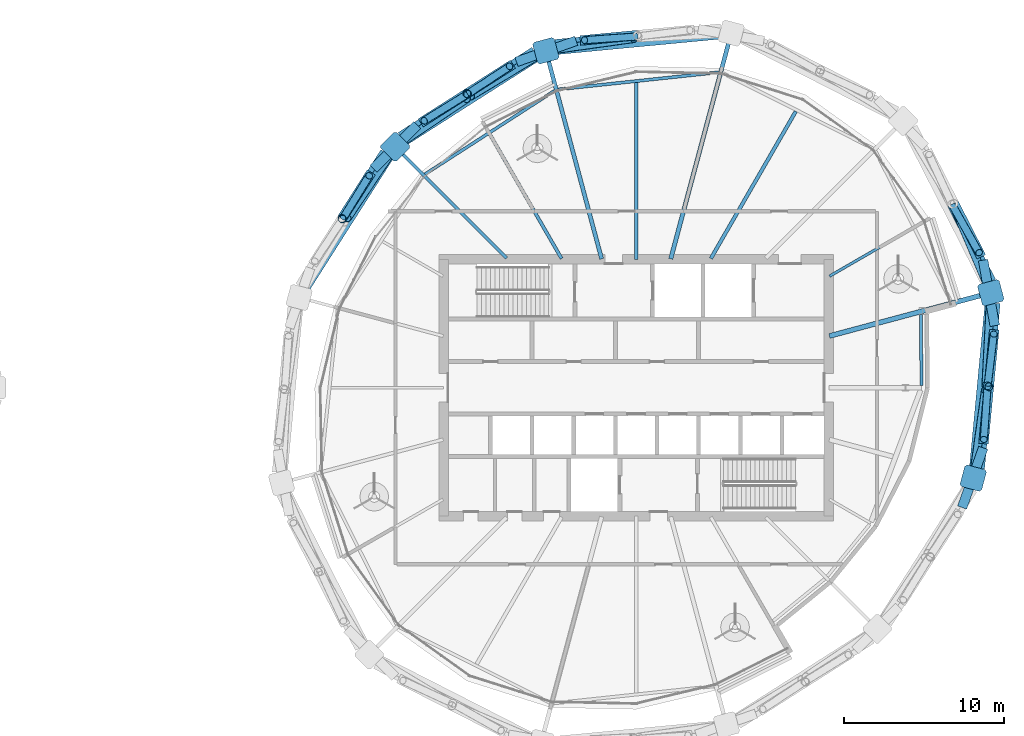
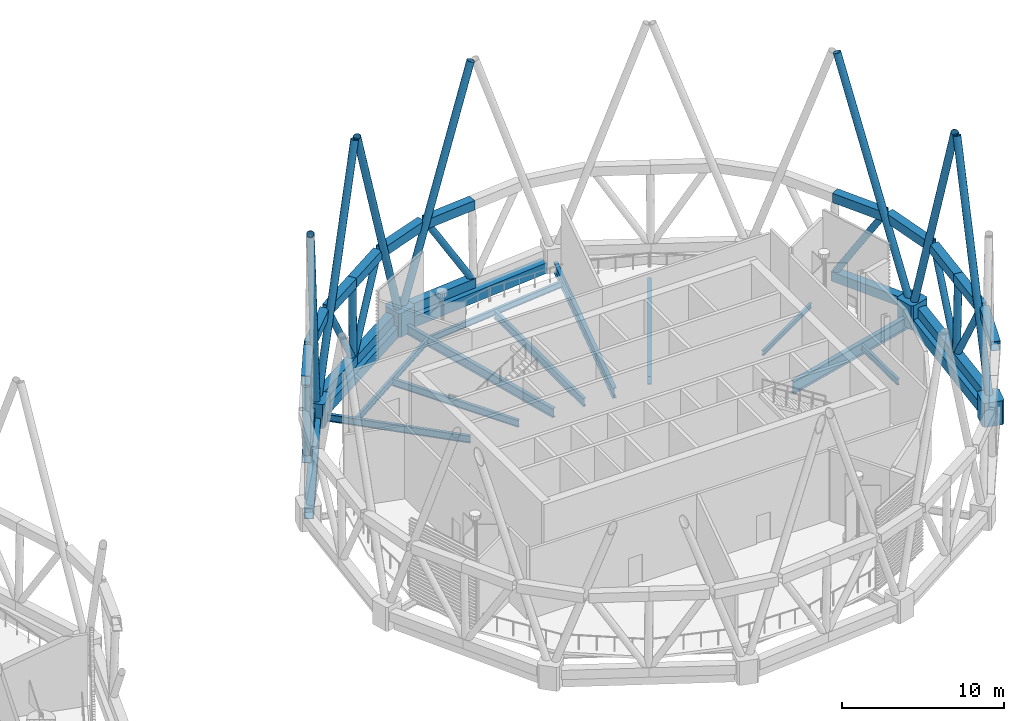
# One storey, part 8 of 22: 39 members, 15 beams.
"""IFC4 building model written with IfcOpenShell, lengths in metres."""

from ifc_helpers import new_model, si_unit, direction, frame, origin, origin_2d, place, context, subcontext, project, spatial, polyline, hollow_rectangle, hollow_circle, i_section, outline, extrude, material, material_profile, profile_set, type_object, element, save


model = new_model("IFC4")

# Units and contexts
model_context = context("Model", 3, precision=1e-05, world=origin(), true_north=direction((0.0, 1.0)))
body_context = subcontext(model_context, "Body", "Model", "MODEL_VIEW")
ifc_project = project(units=[si_unit("LENGTHUNIT", "METRE"), si_unit("AREAUNIT", "SQUARE_METRE"), si_unit("VOLUMEUNIT", "CUBIC_METRE"), si_unit("PLANEANGLEUNIT", "RADIAN"), si_unit("MASSUNIT", "GRAM", prefix="KILO")], contexts=[model_context])

# Site, building, storey
site_placement = place(None, origin())
site = spatial("IfcSite", under=ifc_project, at=site_placement, CompositionType="ELEMENT")
building_placement = place(site_placement, origin())
building = spatial("IfcBuilding", under=site, at=building_placement, Name="Rimbun Link Towers", CompositionType="ELEMENT")
storey_placement = place(building_placement, frame((0.0, 0.0, 204.5)))
storey = spatial("IfcBuildingStorey", under=building, at=storey_placement, Name="L50", CompositionType="ELEMENT", Elevation=204.5)

# Members
ifc_material_1 = material(Name="Steel S460N", Category="steel")
ifc_material_profile_1 = material_profile(ifc_material_1, hollow_rectangle(XDim=0.60009765625, YDim=0.699951171875, WallThickness=0.034912109375, at=origin_2d()), Name="Belt truss chord BOX 600x700x35")
ifc_profile_set_1 = profile_set([ifc_material_profile_1], Name="Steel S460N")
member_type_1 = type_object("IfcMemberType", Name="Belt truss chord BOX 600x700x35", PredefinedType="CHORD", material=ifc_profile_set_1)
member_1_placement = place(storey_placement, frame((28.0107421875, 21.625732421875, 6.0), z_axis=(-0.942930944728, -0.332988338346, 0.0), x_axis=(0.332988338346, -0.942930944728, 0.0)))
element("IfcMember", 1, at=member_1_placement, inside=storey, type_object=member_type_1, Name="Belt truss chord T2 L50 top 02", PredefinedType="CHORD", context=body_context, shape_type="SweptSolid", body=[
    extrude(hollow_rectangle(XDim=0.60009765625, YDim=0.699951171875, WallThickness=0.034912109375, at=origin_2d()), origin(), (0.0, 0.0, 1.0), 3.947509765625),
])
member_2_placement = place(storey_placement, frame((18.099365234375, 16.37060546875, 6.0), z_axis=(-0.707106781187, -0.707106781187, 0.0), x_axis=(0.707106781187, -0.707106781187, 0.0)))
element("IfcMember", 2, at=member_2_placement, inside=storey, type_object=member_type_1, Name="Belt truss chord T2 L50 top 03", PredefinedType="CHORD", context=body_context, shape_type="SweptSolid", body=[
    extrude(hollow_rectangle(XDim=0.60009765625, YDim=0.699951171875, WallThickness=0.034912109375, at=origin_2d()), origin(), (0.0, 0.0, 1.0), 3.8466796875),
])
member_3_placement = place(storey_placement, frame((52.061279296875, -7.46142578125, 6.0), z_axis=(0.332988338346, 0.942930944728, 0.0), x_axis=(-0.942930944728, 0.332988338346, 0.0)))
element("IfcMember", 3, at=member_3_placement, inside=storey, type_object=member_type_1, Name="Belt truss chord T2 L50 top 10", PredefinedType="CHORD", context=body_context, shape_type="SweptSolid", body=[
    extrude(hollow_rectangle(XDim=0.60009765625, YDim=0.699951171875, WallThickness=0.034912109375, at=origin_2d()), origin(), (0.0, 0.0, 1.0), 3.947509765625),
])
member_4_placement = place(storey_placement, frame((54.097412109375, 3.868408203125, 6.0), z_axis=(-0.174925672381, 0.984581641685, 0.0), x_axis=(-0.984581641685, -0.174925672381, 0.0)))
element("IfcMember", 4, at=member_4_placement, inside=storey, type_object=member_type_1, Name="Belt truss chord T2 L50 top 11", PredefinedType="CHORD", context=body_context, shape_type="SweptSolid", body=[
    extrude(hollow_rectangle(XDim=0.60009765625, YDim=0.699951171875, WallThickness=0.034912109375, at=origin_2d()), origin(), (0.0, 0.0, 1.0), 4.152099609375),
])
member_5_placement = place(storey_placement, frame((31.863525390625, 21.89794921875, 0.18994140625), z_axis=(-0.99554305431, -0.094308149254, 0.0), x_axis=(0.094308149254, -0.99554305431, 0.0)))
element("IfcMember", 5, at=member_5_placement, inside=storey, type_object=member_type_1, Name="Belt truss chord T2 L50 bottom 03", PredefinedType="CHORD", context=body_context, shape_type="SweptSolid", body=[
    extrude(hollow_rectangle(XDim=0.60009765625, YDim=0.699951171875, WallThickness=0.034912109375, at=origin_2d()), origin(), (0.0, 0.0, 1.0), 5.1748046875),
])
member_6_placement = place(storey_placement, frame((31.81298828125, 21.97998046875, 6.0), z_axis=(-0.995539400305, -0.094346713986, 0.0), x_axis=(0.094346713986, -0.995539400305, 0.0)))
element("IfcMember", 6, at=member_6_placement, inside=storey, type_object=member_type_1, Name="Belt truss chord T2 L50 top 15", PredefinedType="CHORD", context=body_context, shape_type="SweptSolid", body=[
    extrude(hollow_rectangle(XDim=0.60009765625, YDim=0.699951171875, WallThickness=0.034912109375, at=origin_2d()), origin(), (0.0, 0.0, 1.0), 3.563232421875),
])
for number, where, z_axis, x_axis, name in (
    (7, (25.4072265625, 20.9619140625, 0.18994140625), (-0.843500783691, -0.537127943708, 0.0), (0.537127943708, -0.843500783691, 0.0), "Belt truss chord T2 L50 bottom 04"),
    (8, (21.23779296875, 18.306884765625, 0.18994140625), (-0.843500783691, -0.537127943708, 0.0), (0.537127943708, -0.843500783691, 0.0), "Belt truss chord T2 L50 bottom 05"),
):
    element("IfcMember", number, at=place(storey_placement, frame(where, z_axis=z_axis, x_axis=x_axis)), inside=storey, type_object=member_type_1, Name=name, PredefinedType="CHORD", context=body_context, shape_type="SweptSolid", body=[
        extrude(hollow_rectangle(XDim=0.60009765625, YDim=0.699951171875, WallThickness=0.034912109375, at=origin_2d()), origin(), (0.0, 0.0, 1.0), 4.943115234375),
    ])
member_7_placement = place(storey_placement, frame((24.068115234375, 20.166015625, 6.0), z_axis=(-0.843510942812, -0.537111989586, 0.0), x_axis=(0.537111989586, -0.843510942812, 0.0)))
element("IfcMember", 9, at=member_7_placement, inside=storey, type_object=member_type_1, Name="Belt truss chord T2 L50 top 16", PredefinedType="CHORD", context=body_context, shape_type="SweptSolid", body=[
    extrude(hollow_rectangle(XDim=0.60009765625, YDim=0.699951171875, WallThickness=0.034912109375, at=origin_2d()), origin(), (0.0, 0.0, 1.0), 3.40625),
])
member_8_placement = place(storey_placement, frame((21.19482421875, 18.33642578125, 6.0), z_axis=(-0.84351663753, -0.537103046174, 0.0), x_axis=(0.537103046174, -0.84351663753, 0.0)))
element("IfcMember", 10, at=member_8_placement, inside=storey, type_object=member_type_1, Name="Belt truss chord T2 L50 top 17", PredefinedType="CHORD", context=body_context, shape_type="SweptSolid", body=[
    extrude(hollow_rectangle(XDim=0.60009765625, YDim=0.699951171875, WallThickness=0.034912109375, at=origin_2d()), origin(), (0.0, 0.0, 1.0), 3.4013671875),
])
member_9_placement = place(storey_placement, frame((16.09814453125, 14.681640625, 0.18994140625), z_axis=(-0.537127943708, -0.843500783691, 0.0), x_axis=(0.843500783691, -0.537127943708, 0.0)))
element("IfcMember", 11, at=member_9_placement, inside=storey, type_object=member_type_1, Name="Belt truss chord T2 L50 bottom 06", PredefinedType="CHORD", context=body_context, shape_type="SweptSolid", body=[
    extrude(hollow_rectangle(XDim=0.60009765625, YDim=0.699951171875, WallThickness=0.034912109375, at=origin_2d()), origin(), (0.0, 0.0, 1.0), 4.943115234375),
])
member_10_placement = place(storey_placement, frame((15.240478515625, 13.42431640625, 6.0), z_axis=(-0.537103046174, -0.84351663753, 0.0), x_axis=(0.84351663753, -0.537103046174, 0.0)))
element("IfcMember", 12, at=member_10_placement, inside=storey, type_object=member_type_1, Name="Belt truss chord T2 L50 top 18", PredefinedType="CHORD", context=body_context, shape_type="SweptSolid", body=[
    extrude(hollow_rectangle(XDim=0.60009765625, YDim=0.699951171875, WallThickness=0.034912109375, at=origin_2d()), origin(), (0.0, 0.0, 1.0), 3.4013671875),
])
member_11_placement = place(storey_placement, frame((53.159912109375, -5.038330078125, 0.18994140625), z_axis=(0.094308149254, 0.99554305431, 0.0), x_axis=(-0.99554305431, 0.094308149254, 0.0)))
element("IfcMember", 13, at=member_11_placement, inside=storey, type_object=member_type_1, Name="Belt truss chord T2 L50 bottom 20", PredefinedType="CHORD", context=body_context, shape_type="SweptSolid", body=[
    extrude(hollow_rectangle(XDim=0.60009765625, YDim=0.699951171875, WallThickness=0.034912109375, at=origin_2d()), origin(), (0.0, 0.0, 1.0), 5.1748046875),
])
member_12_placement = place(storey_placement, frame((53.64794921875, 0.113525390625, 0.18994140625), z_axis=(0.094303720053, 0.99554347388, 0.0), x_axis=(-0.99554347388, 0.094303720053, 0.0)))
element("IfcMember", 14, at=member_12_placement, inside=storey, type_object=member_type_1, Name="Belt truss chord T2 L50 bottom 21", PredefinedType="CHORD", context=body_context, shape_type="SweptSolid", body=[
    extrude(hollow_rectangle(XDim=0.60009765625, YDim=0.699951171875, WallThickness=0.034912109375, at=origin_2d()), origin(), (0.0, 0.0, 1.0), 5.175048828125),
])
member_13_placement = place(storey_placement, frame((53.393798828125, -3.484375, 6.0), z_axis=(0.094346713986, 0.995539400305, 0.0), x_axis=(-0.995539400305, 0.094346713986, 0.0)))
element("IfcMember", 15, at=member_13_placement, inside=storey, type_object=member_type_1, Name="Belt truss chord T2 L50 top 32", PredefinedType="CHORD", context=body_context, shape_type="SweptSolid", body=[
    extrude(hollow_rectangle(XDim=0.60009765625, YDim=0.699951171875, WallThickness=0.034912109375, at=origin_2d()), origin(), (0.0, 0.0, 1.0), 3.563232421875),
])
member_14_placement = place(storey_placement, frame((53.72998046875, 0.06298828125, 6.0), z_axis=(0.094286748494, 0.995545081379, 0.0), x_axis=(-0.995545081379, 0.094286748494, 0.0)))
element("IfcMember", 16, at=member_14_placement, inside=storey, type_object=member_type_1, Name="Belt truss chord T2 L50 top 33", PredefinedType="CHORD", context=body_context, shape_type="SweptSolid", body=[
    extrude(hollow_rectangle(XDim=0.60009765625, YDim=0.699951171875, WallThickness=0.034912109375, at=origin_2d()), origin(), (0.0, 0.0, 1.0), 3.5732421875),
])
member_15_placement = place(storey_placement, frame((53.87451171875, 6.63671875, 0.18994140625), z_axis=(-0.454431449541, 0.89078171157, 0.0), x_axis=(-0.89078171157, -0.454431449541, 0.0)))
element("IfcMember", 17, at=member_15_placement, inside=storey, type_object=member_type_1, Name="Belt truss chord T2 L50 bottom 22", PredefinedType="CHORD", context=body_context, shape_type="SweptSolid", body=[
    extrude(hollow_rectangle(XDim=0.60009765625, YDim=0.699951171875, WallThickness=0.034912109375, at=origin_2d()), origin(), (0.0, 0.0, 1.0), 5.387451171875),
])
member_16_placement = place(storey_placement, frame((53.25439453125, 8.16552734375, 6.0), z_axis=(-0.454387499691, 0.890804131178, 0.0), x_axis=(-0.890804131178, -0.454387499691, 0.0)))
element("IfcMember", 18, at=member_16_placement, inside=storey, type_object=member_type_1, Name="Belt truss chord T2 L50 top 34", PredefinedType="CHORD", context=body_context, shape_type="SweptSolid", body=[
    extrude(hollow_rectangle(XDim=0.60009765625, YDim=0.699951171875, WallThickness=0.034912109375, at=origin_2d()), origin(), (0.0, 0.0, 1.0), 3.722412109375),
])
ifc_material_2 = material(Name="Steel S355J2H", Category="steel")
ifc_material_profile_2 = material_profile(ifc_material_2, hollow_circle(Radius=0.228515625, WallThickness=0.01611328125, at=origin_2d()), Name="Belt truss diagonal CHS 457x16")
ifc_profile_set_2 = profile_set([ifc_material_profile_2], Name="Steel S355J2H")
member_type_2 = type_object("IfcMemberType", Name="Belt truss diagonal CHS 457x16", PredefinedType="BRACE", material=ifc_profile_set_2)
member_17_placement = place(storey_placement, frame((31.6826171875, 21.88525390625, 0.4892578125), z_axis=(-0.517112660292, -0.03621551324, 0.855150824806), x_axis=(0.069862965951, -0.997556597887, 0.0)))
element("IfcMember", 19, at=member_17_placement, inside=storey, type_object=member_type_2, Name="Belt truss diagonal T2 L50 03", PredefinedType="BRACE", context=body_context, shape_type="SweptSolid", body=[
    extrude(hollow_circle(Radius=0.228515625, WallThickness=0.01611328125, at=origin_2d()), origin(), (0.0, 0.0, 1.0), 6.09423828125),
])
member_18_placement = place(storey_placement, frame((21.38232421875, 18.402099609375, 0.494140625), z_axis=(0.413307115516, 0.271676410317, 0.869119759493), x_axis=(-0.549283209495, 0.835636258049, 0.0)))
element("IfcMember", 20, at=member_18_placement, inside=storey, type_object=member_type_2, Name="Belt truss diagonal T2 L50 04", PredefinedType="BRACE", context=body_context, shape_type="SweptSolid", body=[
    extrude(hollow_circle(Radius=0.228515625, WallThickness=0.01611328125, at=origin_2d()), origin(), (0.0, 0.0, 1.0), 5.98486328125),
])
for number, where, z_axis, x_axis, name in (
    (21, (21.089111328125, 18.215087890625, 0.493408203125), (-0.424858360267, -0.262029869083, 0.866507773433), (0.524937876314, -0.851140544218, 0.0), "Belt truss diagonal T2 L50 05"),
    (22, (13.534912109375, 10.660888671875, 0.493408203125), (0.262029869083, 0.424858360267, 0.866507773433), (-0.851140544218, 0.524937876314, 0.0), "Belt truss diagonal T2 L50 06"),
):
    element("IfcMember", number, at=place(storey_placement, frame(where, z_axis=z_axis, x_axis=x_axis)), inside=storey, type_object=member_type_2, Name=name, PredefinedType="BRACE", context=body_context, shape_type="SweptSolid", body=[
        extrude(hollow_circle(Radius=0.228515625, WallThickness=0.01611328125, at=origin_2d()), origin(), (0.0, 0.0, 1.0), 6.0048828125),
    ])
member_19_placement = place(storey_placement, frame((53.63525390625, -0.0673828125, 0.4892578125), z_axis=(-0.03621551324, -0.517112660292, 0.855150824806), x_axis=(0.997556597887, -0.069862965951, 0.0)))
element("IfcMember", 23, at=member_19_placement, inside=storey, type_object=member_type_2, Name="Belt truss diagonal T2 L50 20", PredefinedType="BRACE", context=body_context, shape_type="SweptSolid", body=[
    extrude(hollow_circle(Radius=0.228515625, WallThickness=0.01611328125, at=origin_2d()), origin(), (0.0, 0.0, 1.0), 6.09423828125),
])
member_20_placement = place(storey_placement, frame((53.669189453125, 0.29052734375, 0.4912109375), z_axis=(0.06076916456, 0.505481623134, 0.860694741074), x_axis=(-0.992850937823, 0.119360861528, 0.0)))
element("IfcMember", 24, at=member_20_placement, inside=storey, type_object=member_type_2, Name="Belt truss diagonal T2 L50 21", PredefinedType="BRACE", context=body_context, shape_type="SweptSolid", body=[
    extrude(hollow_circle(Radius=0.228515625, WallThickness=0.01611328125, at=origin_2d()), origin(), (0.0, 0.0, 1.0), 6.05029296875),
])
member_21_placement = place(storey_placement, frame((51.51708984375, 11.2734375, 0.486572265625), z_axis=(0.259690189986, -0.463270803117, 0.847314090644), x_axis=(0.872298406148, 0.488973916106, 0.0)))
element("IfcMember", 25, at=member_21_placement, inside=storey, type_object=member_type_2, Name="Belt truss diagonal T2 L50 22", PredefinedType="BRACE", context=body_context, shape_type="SweptSolid", body=[
    extrude(hollow_circle(Radius=0.228515625, WallThickness=0.01611328125, at=origin_2d()), origin(), (0.0, 0.0, 1.0), 6.156982421875),
])
ifc_material_3 = material(Name="Steel S355J2H", Category="steel")
ifc_material_profile_3 = material_profile(ifc_material_3, hollow_circle(Radius=0.25390625, WallThickness=0.02001953125, at=origin_2d()), Name="Belt truss strut CHS 508x20")
ifc_profile_set_3 = profile_set([ifc_material_profile_3], Name="Steel S355J2H")
member_type_3 = type_object("IfcMemberType", Name="Belt truss strut CHS 508x20", PredefinedType="STRUT", material=ifc_profile_set_3)
for number, where, z_axis, x_axis, name in (
    (26, (21.23779296875, 18.306884765625, 0.5400390625), (-0.00840854453, 0.005780874364, 0.99994793758), (-0.566528822887, -0.824041924199, 0.0), "Belt truss strut T2 L50 02"),
    (27, (13.443115234375, 10.51220703125, 0.5400390625), (-0.005780874364, 0.00840854453, 0.99994793758), (-0.824041924199, -0.566528822887, 0.0), "Belt truss strut T2 L50 03"),
):
    element("IfcMember", number, at=place(storey_placement, frame(where, z_axis=z_axis, x_axis=x_axis)), inside=storey, type_object=member_type_3, Name=name, PredefinedType="STRUT", context=body_context, shape_type="SweptSolid", body=[
        extrude(hollow_circle(Radius=0.25390625, WallThickness=0.02001953125, at=origin_2d()), origin(), (0.0, 0.0, 1.0), 5.110107421875),
    ])
member_22_placement = place(storey_placement, frame((53.64794921875, 0.113525390625, 0.5400390625), z_axis=(0.016050658718, -0.009888352246, 0.999822282631), x_axis=(0.524521493248, 0.851397206432, 0.0)))
element("IfcMember", 28, at=member_22_placement, inside=storey, type_object=member_type_3, Name="Belt truss strut T2 L50 10", PredefinedType="STRUT", context=body_context, shape_type="SweptSolid", body=[
    extrude(hollow_circle(Radius=0.25390625, WallThickness=0.02001953125, at=origin_2d()), origin(), (0.0, 0.0, 1.0), 5.11083984375),
])
ifc_material_4 = material(Name="Steel S355J2H", Category="steel")
ifc_material_profile_4 = material_profile(ifc_material_4, hollow_circle(Radius=0.25390625, WallThickness=0.02001953125, at=origin_2d()), Name="Diagrid diagonal CHS 508x20")
ifc_profile_set_4 = profile_set([ifc_material_profile_4], Name="Steel S355J2H")
member_type_4 = type_object("IfcMemberType", Name="Diagrid diagonal CHS 508x20", PredefinedType="BRACE", material=ifc_profile_set_4)
member_23_placement = place(storey_placement, frame((26.276123046875, 21.023681640625, 0.475341796875), z_axis=(0.307441985786, 0.042890350915, 0.950599728158), x_axis=(-0.138169075099, 0.990408656407, 0.0)))
element("IfcMember", 29, at=member_23_placement, inside=storey, type_object=member_type_4, Name="Diagrid diagonal T2 L50-L54 04a", PredefinedType="BRACE", context=body_context, shape_type="SweptSolid", body=[
    extrude(hollow_circle(Radius=0.25390625, WallThickness=0.02001953125, at=origin_2d()), origin(), (0.0, 0.0, 1.0), 17.30419921875),
])
member_24_placement = place(storey_placement, frame((25.990478515625, 20.923095703125, 0.4755859375), z_axis=(-0.263616379023, -0.158844861587, 0.951459255385), x_axis=(0.516107546646, -0.856523788517, 0.0)))
element("IfcMember", 30, at=member_24_placement, inside=storey, type_object=member_type_4, Name="Diagrid diagonal T2 L50-L54 04b", PredefinedType="BRACE", context=body_context, shape_type="SweptSolid", body=[
    extrude(hollow_circle(Radius=0.25390625, WallThickness=0.02001953125, at=origin_2d()), origin(), (0.0, 0.0, 1.0), 17.287841796875),
])
for number, where, z_axis, x_axis, name in (
    (31, (16.8544921875, 15.105224609375, 0.476806640625), (0.250499323782, 0.168560953933, 0.95332958288), (-0.55827525096, 0.829655798609, 0.0), "Diagrid diagonal T2 L50-L54 06a"),
    (32, (16.644775390625, 14.8955078125, 0.476806640625), (-0.168560953933, -0.250499323782, 0.95332958288), (0.829655798609, -0.55827525096, 0.0), "Diagrid diagonal T2 L50-L54 06b"),
):
    element("IfcMember", number, at=place(storey_placement, frame(where, z_axis=z_axis, x_axis=x_axis)), inside=storey, type_object=member_type_4, Name=name, PredefinedType="BRACE", context=body_context, shape_type="SweptSolid", body=[
        extrude(hollow_circle(Radius=0.25390625, WallThickness=0.02001953125, at=origin_2d()), origin(), (0.0, 0.0, 1.0), 17.251708984375),
    ])
member_25_placement = place(storey_placement, frame((52.773681640625, -5.473876953125, 0.475341796875), z_axis=(0.042890350915, 0.307441985786, 0.950599728158), x_axis=(-0.990408656407, 0.138169075099, 0.0)))
element("IfcMember", 33, at=member_25_placement, inside=storey, type_object=member_type_4, Name="Diagrid diagonal T2 L50-L54 20b", PredefinedType="BRACE", context=body_context, shape_type="SweptSolid", body=[
    extrude(hollow_circle(Radius=0.25390625, WallThickness=0.02001953125, at=origin_2d()), origin(), (0.0, 0.0, 1.0), 17.30419921875),
])
member_26_placement = place(storey_placement, frame((53.838134765625, 5.759765625, 0.473388671875), z_axis=(-0.016826283915, -0.322101142758, 0.946555719439), x_axis=(0.998638322881, -0.052167998553, 0.0)))
element("IfcMember", 34, at=member_26_placement, inside=storey, type_object=member_type_4, Name="Diagrid diagonal T2 L50-L54 22a", PredefinedType="BRACE", context=body_context, shape_type="SweptSolid", body=[
    extrude(hollow_circle(Radius=0.25390625, WallThickness=0.02001953125, at=origin_2d()), origin(), (0.0, 0.0, 1.0), 17.38232421875),
])
member_27_placement = place(storey_placement, frame((53.783203125, 6.070068359375, 0.472900390625), z_axis=(-0.126969019584, 0.298375792429, 0.945965514466), x_axis=(-0.920153972, -0.39155672362, 0.0)))
element("IfcMember", 35, at=member_27_placement, inside=storey, type_object=member_type_4, Name="Diagrid diagonal T2 L50-L54 22b", PredefinedType="BRACE", context=body_context, shape_type="SweptSolid", body=[
    extrude(hollow_circle(Radius=0.25390625, WallThickness=0.02001953125, at=origin_2d()), origin(), (0.0, 0.0, 1.0), 17.39404296875),
])
ifc_material_5 = material(Name="Cast steel G20Mn5+QT, Rp0.2 300 MPa", Category="steel")
ifc_material_profile_5 = material_profile(ifc_material_5, outline(polyline([(0.699951171875, -0.570068359375), (0.699951171875, 0.570068359375), (0.570068359375, 0.699951171875), (-0.570068359375, 0.699951171875), (-0.699951171875, 0.570068359375), (-0.699951171875, -0.570068359375), (-0.570068359375, -0.699951171875), (0.570068359375, -0.699951171875), (0.699951171875, -0.570068359375)])), Name="NODE 1400x1400")
ifc_profile_set_5 = profile_set([ifc_material_profile_5], Name="Cast steel G20Mn5+QT, Rp0.2 300 MPa")
member_type_5 = type_object("IfcMemberType", Name="Diagrid node cast 1400", PredefinedType="USERDEFINED", material=ifc_profile_set_5)
for number, where, z_axis, x_axis, name in (
    (36, (26.122314453125, 21.00244140625, -0.89990234375), (0.0, 0.0, 1.0), (-0.258819045103, 0.965925826289, 0.0), "Diagrid node L50 04"),
    (37, (16.72900390625, 15.02099609375, -0.89990234375), (0.0, 0.0, 1.0), (-0.707106781187, 0.707106781187, 0.0), "Diagrid node L50 06"),
    (38, (52.75244140625, -5.627685546875, -0.89990234375), (0.0, 0.0, 1.0), (0.965925826289, -0.258819045103, 0.0), "Diagrid node L50 20"),
    (39, (53.8466796875, 5.9208984375, -0.89990234375), (0.0, 0.0, 1.0), (0.965925826289, 0.258819045103, 0.0), "Diagrid node L50 22"),
):
    element("IfcMember", number, at=place(storey_placement, frame(where, z_axis=z_axis, x_axis=x_axis)), inside=storey, type_object=member_type_5, Name=name, ObjectType="Diagrid node", PredefinedType="USERDEFINED", context=body_context, shape_type="SweptSolid", body=[
        extrude(outline(polyline([(0.699951171875, -0.570068359375), (0.699951171875, 0.570068359375), (0.570068359375, 0.699951171875), (-0.570068359375, 0.699951171875), (-0.699951171875, 0.570068359375), (-0.699951171875, -0.570068359375), (-0.570068359375, -0.699951171875), (0.570068359375, -0.699951171875), (0.699951171875, -0.570068359375)])), origin(), (0.0, 0.0, 1.0), 1.7998046875),
    ])

# Beams
ifc_material_6 = material(Name="Steel S355J2", Category="steel")
ifc_material_profile_6 = material_profile(ifc_material_6, hollow_rectangle(XDim=0.60009765625, YDim=0.800048828125, WallThickness=0.0400390625, at=origin_2d()), Name="Exoskeleton ring girder BOX 600x800x40")
ifc_profile_set_6 = profile_set([ifc_material_profile_6], Name="Steel S355J2")
beam_type_1 = type_object("IfcBeamType", Name="Exoskeleton ring girder BOX 600x800x40", PredefinedType="BEAM", material=ifc_profile_set_6)
beam_1_placement = place(storey_placement, frame((36.973876953125, 22.030517578125, -0.56005859375), z_axis=(-0.995541075967, -0.094329030856, 0.0), x_axis=(0.094329030856, -0.995541075967, 0.0)))
element("IfcBeam", 40, at=beam_1_placement, inside=storey, type_object=beam_type_1, Name="Exoskeleton ring girder L50 01", PredefinedType="BEAM", context=body_context, shape_type="SweptSolid", body=[
    extrude(hollow_rectangle(XDim=0.60009765625, YDim=0.800048828125, WallThickness=0.0400390625, at=origin_2d()), origin(), (0.0, 0.0, 1.0), 10.199951171875),
])
for number, where, z_axis, x_axis, name in (
    (41, (25.531982421875, 20.62646484375, -0.56005859375), (-0.84350244015, -0.537125342411, 0.0), (0.537125342411, -0.84350244015, 0.0), "Exoskeleton ring girder L50 02"),
    (42, (16.35302734375, 14.430419921875, -0.56005859375), (-0.537125342411, -0.84350244015, 0.0), (0.84350244015, -0.537125342411, 0.0), "Exoskeleton ring girder L50 03"),
):
    element("IfcBeam", number, at=place(storey_placement, frame(where, z_axis=z_axis, x_axis=x_axis)), inside=storey, type_object=beam_type_1, Name=name, PredefinedType="BEAM", context=body_context, shape_type="SweptSolid", body=[
        extrude(hollow_rectangle(XDim=0.60009765625, YDim=0.800048828125, WallThickness=0.0400390625, at=origin_2d()), origin(), (0.0, 0.0, 1.0), 9.736083984375),
    ])
beam_2_placement = place(storey_placement, frame((52.818359375, -4.9306640625, -0.56005859375), z_axis=(0.094329030856, 0.995541075967, 0.0), x_axis=(-0.995541075967, 0.094329030856, 0.0)))
element("IfcBeam", 43, at=beam_2_placement, inside=storey, type_object=beam_type_1, Name="Exoskeleton ring girder L50 10", PredefinedType="BEAM", context=body_context, shape_type="SweptSolid", body=[
    extrude(hollow_rectangle(XDim=0.60009765625, YDim=0.800048828125, WallThickness=0.0400390625, at=origin_2d()), origin(), (0.0, 0.0, 1.0), 10.199951171875),
])
ifc_material_7 = material(Name="Steel S355J2", Category="steel")
ifc_material_profile_7 = material_profile(ifc_material_7, i_section(OverallWidth=0.17138671875, OverallDepth=0.35498046875, WebThickness=0.00732421875, FlangeThickness=0.011474609375, at=origin_2d()), Name="UB 356x171x51")
ifc_profile_set_7 = profile_set([ifc_material_profile_7], Name="Steel S355J2")
beam_type_2 = type_object("IfcBeamType", Name="UB 356x171x51", PredefinedType="BEAM", material=ifc_profile_set_7)
beam_3_placement = place(storey_placement, frame((43.793701171875, 6.95361328125, -0.37744140625), z_axis=(0.86604146515, 0.499972179867, 0.0), x_axis=(-0.499972179867, 0.86604146515, 0.0)))
element("IfcBeam", 44, at=beam_3_placement, inside=storey, type_object=beam_type_2, Name="Radial beam T2 L50 23", PredefinedType="BEAM", context=body_context, shape_type="SweptSolid", body=[
    extrude(i_section(OverallWidth=0.17138671875, OverallDepth=0.35498046875, WebThickness=0.00732421875, FlangeThickness=0.011474609375, at=origin_2d()), origin(), (0.0, 0.0, 1.0), 5.980224609375),
])
ifc_material_8 = material(Name="Steel S355J2", Category="steel")
ifc_material_profile_8 = material_profile(ifc_material_8, i_section(OverallWidth=0.18994140625, OverallDepth=0.453369140625, WebThickness=0.008544921875, FlangeThickness=0.0126953125, at=origin_2d()), Name="UB 457x191x67")
ifc_profile_set_8 = profile_set([ifc_material_profile_8], Name="Steel S355J2")
beam_type_3 = type_object("IfcBeamType", Name="UB 457x191x67", PredefinedType="BEAM", material=ifc_profile_set_8)
beam_4_placement = place(storey_placement, frame((36.878662109375, 19.6591796875, -0.4267578125), z_axis=(-0.994374584339, -0.105920659088, 0.0), x_axis=(0.105920659088, -0.994374584339, 0.0)))
element("IfcBeam", 45, at=beam_4_placement, inside=storey, type_object=beam_type_3, Name="Edge beam T2 L50 02-04", PredefinedType="BEAM", context=body_context, shape_type="SweptSolid", body=[
    extrude(i_section(OverallWidth=0.18994140625, OverallDepth=0.453369140625, WebThickness=0.008544921875, FlangeThickness=0.0126953125, at=origin_2d()), origin(), (0.0, 0.0, 1.0), 10.03564453125),
])
beam_5_placement = place(storey_placement, frame((26.657958984375, 18.509765625, -0.4267578125), z_axis=(-0.840630993225, -0.541608283938, 0.0), x_axis=(0.541608283938, -0.840630993225, 0.0)))
element("IfcBeam", 46, at=beam_5_placement, inside=storey, type_object=beam_type_3, Name="Edge beam T2 L50 04-06", PredefinedType="BEAM", context=body_context, shape_type="SweptSolid", body=[
    extrude(i_section(OverallWidth=0.18994140625, OverallDepth=0.453369140625, WebThickness=0.008544921875, FlangeThickness=0.0126953125, at=origin_2d()), origin(), (0.0, 0.0, 1.0), 9.59912109375),
])
beam_6_placement = place(storey_placement, frame((49.52685546875, 0.14794921875, -0.4267578125), z_axis=(-0.007562576994, 0.999971403306, 0.0), x_axis=(-0.999971403306, -0.007562576994, 0.0)))
element("IfcBeam", 47, at=beam_6_placement, inside=storey, type_object=beam_type_3, Name="Edge beam T2 L50 21 recess", PredefinedType="BEAM", context=body_context, shape_type="SweptSolid", body=[
    extrude(i_section(OverallWidth=0.18994140625, OverallDepth=0.453369140625, WebThickness=0.008544921875, FlangeThickness=0.0126953125, at=origin_2d()), origin(), (0.0, 0.0, 1.0), 4.4228515625),
])
ifc_material_9 = material(Name="Steel S355J2", Category="steel")
ifc_material_profile_9 = material_profile(ifc_material_9, i_section(OverallWidth=0.209228515625, OverallDepth=0.533203125, WebThickness=0.010009765625, FlangeThickness=0.015625, at=origin_2d()), Name="UB 533x210x92")
ifc_profile_set_9 = profile_set([ifc_material_profile_9], Name="Steel S355J2")
beam_type_4 = type_object("IfcBeamType", Name="UB 533x210x92", PredefinedType="BEAM", material=ifc_profile_set_9)
beam_7_placement = place(storey_placement, frame((27.1005859375, 8.05322265625, -0.466552734375), z_axis=(-0.499996533331, 0.866027405258, 0.0), x_axis=(-0.866027405258, -0.499996533331, 0.0)))
element("IfcBeam", 48, at=beam_7_placement, inside=storey, type_object=beam_type_4, Name="Radial beam T2 L50 05", PredefinedType="BEAM", context=body_context, shape_type="SweptSolid", body=[
    extrude(i_section(OverallWidth=0.209228515625, OverallDepth=0.533203125, WebThickness=0.010009765625, FlangeThickness=0.015625, at=origin_2d()), origin(), (0.0, 0.0, 1.0), 8.9443359375),
])
beam_8_placement = place(storey_placement, frame((23.67529296875, 8.07470703125, -0.466552734375), z_axis=(-0.707106781187, 0.707106781187, 0.0), x_axis=(-0.707106781187, -0.707106781187, 0.0)))
element("IfcBeam", 49, at=beam_8_placement, inside=storey, type_object=beam_type_4, Name="Radial beam T2 L50 06", PredefinedType="BEAM", context=body_context, shape_type="SweptSolid", body=[
    extrude(i_section(OverallWidth=0.209228515625, OverallDepth=0.533203125, WebThickness=0.010009765625, FlangeThickness=0.015625, at=origin_2d()), origin(), (0.0, 0.0, 1.0), 9.3232421875),
])
ifc_material_10 = material(Name="Steel S355J2", Category="steel")
ifc_material_profile_10 = material_profile(ifc_material_10, i_section(OverallWidth=0.2275390625, OverallDepth=0.6025390625, WebThickness=0.010498046875, FlangeThickness=0.014892578125, at=origin_2d()), Name="UB 610x229x101")
ifc_profile_set_10 = profile_set([ifc_material_profile_10], Name="Steel S355J2")
beam_type_5 = type_object("IfcBeamType", Name="UB 610x229x101", PredefinedType="BEAM", material=ifc_profile_set_10)
beam_9_placement = place(storey_placement, frame((36.402099609375, 8.057861328125, -0.501220703125), z_axis=(0.500004687011, 0.86602269772, 0.0), x_axis=(-0.86602269772, 0.500004687011, 0.0)))
element("IfcBeam", 50, at=beam_9_placement, inside=storey, type_object=beam_type_5, Name="Radial beam T2 L50 01", PredefinedType="BEAM", context=body_context, shape_type="SweptSolid", body=[
    extrude(i_section(OverallWidth=0.2275390625, OverallDepth=0.6025390625, WebThickness=0.010498046875, FlangeThickness=0.014892578125, at=origin_2d()), origin(), (0.0, 0.0, 1.0), 10.5830078125),
])
beam_10_placement = place(storey_placement, frame((31.75, 8.0009765625, -0.501220703125), z_axis=(0.0, 1.0, 0.0), x_axis=(-1.0, 0.0, 0.0)))
element("IfcBeam", 51, at=beam_10_placement, inside=storey, type_object=beam_type_5, Name="Radial beam T2 L50 03", PredefinedType="BEAM", context=body_context, shape_type="SweptSolid", body=[
    extrude(i_section(OverallWidth=0.2275390625, OverallDepth=0.6025390625, WebThickness=0.010498046875, FlangeThickness=0.014892578125, at=origin_2d()), origin(), (0.0, 0.0, 1.0), 11.015625),
])
ifc_material_11 = material(Name="Steel S355J2", Category="steel")
ifc_material_profile_11 = material_profile(ifc_material_11, i_section(OverallWidth=0.253662109375, OverallDepth=0.68359375, WebThickness=0.012451171875, FlangeThickness=0.01904296875, at=origin_2d()), Name="UB 686x254x140")
ifc_profile_set_11 = profile_set([ifc_material_profile_11], Name="Steel S355J2")
beam_type_6 = type_object("IfcBeamType", Name="UB 686x254x140", PredefinedType="BEAM", material=ifc_profile_set_11)
beam_11_placement = place(storey_placement, frame((29.597412109375, 8.03369140625, -0.541748046875), z_axis=(-0.258833325231, 0.965921999827, 0.0), x_axis=(-0.965921999827, -0.258833325231, 0.0)))
element("IfcBeam", 52, at=beam_11_placement, inside=storey, type_object=beam_type_6, Name="Radial beam T2 L50 04", PredefinedType="BEAM", context=body_context, shape_type="SweptSolid", body=[
    extrude(i_section(OverallWidth=0.253662109375, OverallDepth=0.68359375, WebThickness=0.012451171875, FlangeThickness=0.01904296875, at=origin_2d()), origin(), (0.0, 0.0, 1.0), 12.926025390625),
])
ifc_material_12 = material(Name="Steel S355J2", Category="steel")
ifc_material_profile_12 = material_profile(ifc_material_12, i_section(OverallWidth=0.2666015625, OverallDepth=0.76220703125, WebThickness=0.014404296875, FlangeThickness=0.021484375, at=origin_2d()), Name="UB 762x267x173")
ifc_profile_set_12 = profile_set([ifc_material_profile_12], Name="Steel S355J2")
beam_type_7 = type_object("IfcBeamType", Name="UB 762x267x173", PredefinedType="BEAM", material=ifc_profile_set_12)
beam_12_placement = place(storey_placement, frame((33.903076171875, 8.035400390625, -0.5810546875), z_axis=(0.258830999214, 0.965922623115, 0.0), x_axis=(-0.965922623115, 0.258830999214, 0.0)))
element("IfcBeam", 53, at=beam_12_placement, inside=storey, type_object=beam_type_7, Name="Radial beam T2 L50 02", PredefinedType="BEAM", context=body_context, shape_type="SweptSolid", body=[
    extrude(i_section(OverallWidth=0.2666015625, OverallDepth=0.76220703125, WebThickness=0.014404296875, FlangeThickness=0.021484375, at=origin_2d()), origin(), (0.0, 0.0, 1.0), 14.05712890625),
])
ifc_material_13 = material(Name="Steel S355J2", Category="steel")
ifc_material_profile_13 = material_profile(ifc_material_13, i_section(OverallWidth=0.305419921875, OverallDepth=0.91845703125, WebThickness=0.017333984375, FlangeThickness=0.02783203125, at=origin_2d()), Name="UB 914x305x253")
ifc_profile_set_13 = profile_set([ifc_material_profile_13], Name="Steel S355J2")
beam_type_8 = type_object("IfcBeamType", Name="UB 914x305x253", PredefinedType="BEAM", material=ifc_profile_set_13)
beam_13_placement = place(storey_placement, frame((43.79052734375, 3.226318359375, -0.6591796875), z_axis=(0.965923090535, 0.258829254858, 0.0), x_axis=(-0.258829254858, 0.965923090535, 0.0)))
element("IfcBeam", 54, at=beam_13_placement, inside=storey, type_object=beam_type_8, Name="Radial beam T2 L50 22", PredefinedType="BEAM", context=body_context, shape_type="SweptSolid", body=[
    extrude(i_section(OverallWidth=0.305419921875, OverallDepth=0.91845703125, WebThickness=0.017333984375, FlangeThickness=0.02783203125, at=origin_2d()), origin(), (0.0, 0.0, 1.0), 9.91064453125),
])

save(model, "model.ifc")
